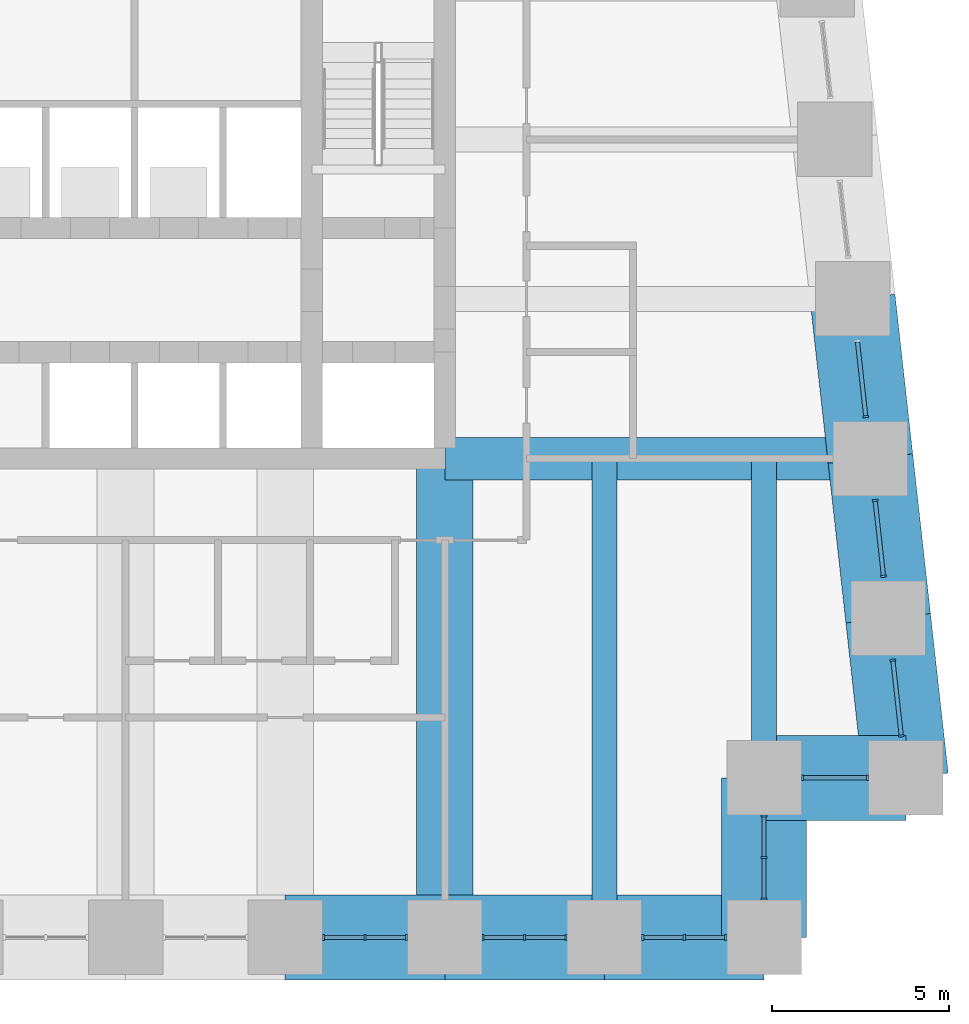
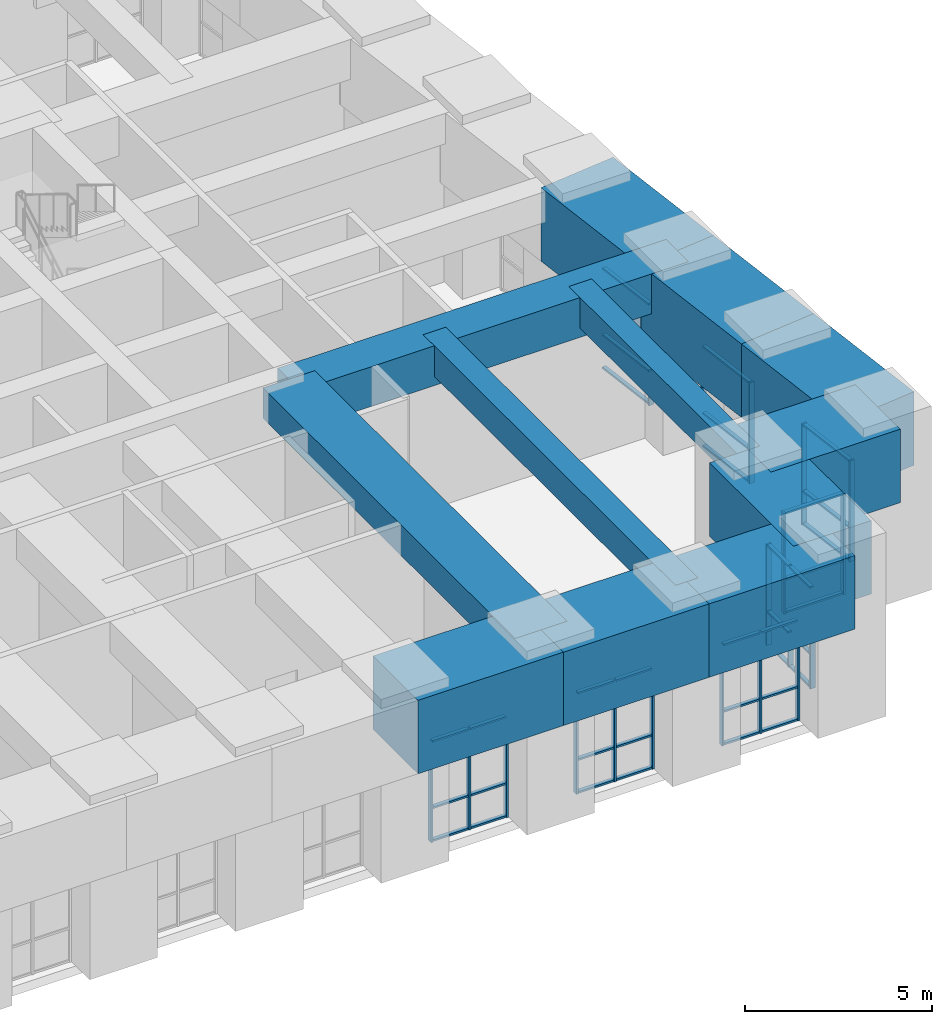
# One storey, part 5 of 17: 55 members, 12 beams, 8 elements without a shape of their own.
"""IFC4 building model written with IfcOpenShell, lengths in metres."""

from ifc_helpers import new_model, si_unit, direction, frame, origin, origin_2d, place, context, subcontext, project, spatial, rectangle, extrude, material, material_profile, profile_set, type_object, element, aggregate, save


model = new_model("IFC4")

# Units and contexts
model_context = context("Model", 3, precision=1e-05, world=origin(), true_north=direction((0.0, 1.0)))
body_context = subcontext(model_context, "Body", "Model", "MODEL_VIEW")
ifc_project = project(units=[si_unit("LENGTHUNIT", "METRE"), si_unit("AREAUNIT", "SQUARE_METRE"), si_unit("VOLUMEUNIT", "CUBIC_METRE"), si_unit("PLANEANGLEUNIT", "RADIAN"), si_unit("MASSUNIT", "GRAM", prefix="KILO")], contexts=[model_context])

# Site, building, storey
site_placement = place(None, origin())
site = spatial("IfcSite", under=ifc_project, at=site_placement, CompositionType="ELEMENT")
building_placement = place(site_placement, origin())
building = spatial("IfcBuilding", under=site, at=building_placement, Name="Kilele Tower Hotel", CompositionType="ELEMENT")
storey_placement = place(building_placement, frame((0.0, 0.0, 145.89990234375)))
storey = spatial("IfcBuildingStorey", under=building, at=storey_placement, Name="L38", CompositionType="ELEMENT", Elevation=145.89990234375)

# Beams
ifc_material_1 = material(Name="Concrete C60/75", Category="concrete")
ifc_material_profile_1 = material_profile(ifc_material_1, rectangle(XDim=1.60009765625, YDim=1.0, at=origin_2d()))
ifc_profile_set_1 = profile_set([ifc_material_profile_1], Name="Concrete C60/75")
beam_type_1 = type_object("IfcBeamType", Name="Beam RC 1600x1000 C60/75", PredefinedType="BEAM", material=ifc_profile_set_1)
beam_1_placement = place(storey_placement, frame((36.0, 0.0, 5.2001953125), z_axis=(0.0, 1.0, 0.0), x_axis=(-1.0, 0.0, 0.0)))
element("IfcBeam", 1, at=beam_1_placement, inside=storey, type_object=beam_type_1, Name="Beam BC1 level L39", PredefinedType="BEAM", context=body_context, shape_type="SweptSolid", body=[
    extrude(rectangle(XDim=1.60009765625, YDim=1.0, at=origin_2d()), origin(), (0.0, 0.0, 1.0), 13.5),
])
ifc_material_2 = material(Name="Concrete C60/75", Category="concrete")
ifc_material_profile_2 = material_profile(ifc_material_2, rectangle(XDim=0.699951171875, YDim=1.0, at=origin_2d()))
ifc_profile_set_2 = profile_set([ifc_material_profile_2], Name="Concrete C60/75")
beam_type_2 = type_object("IfcBeamType", Name="Beam RC 700x1000 C60/75", PredefinedType="BEAM", material=ifc_profile_set_2)
beam_2_placement = place(storey_placement, frame((40.5, 0.0, 5.2001953125), z_axis=(0.0, 1.0, 0.0), x_axis=(-1.0, 0.0, 0.0)))
element("IfcBeam", 2, at=beam_2_placement, inside=storey, type_object=beam_type_2, Name="Beam B4 level L39", PredefinedType="BEAM", context=body_context, shape_type="SweptSolid", body=[
    extrude(rectangle(XDim=0.699951171875, YDim=1.0, at=origin_2d()), origin(), (0.0, 0.0, 1.0), 13.5),
])
ifc_material_3 = material(Name="Concrete C60/75", Category="concrete")
ifc_material_profile_3 = material_profile(ifc_material_3, rectangle(XDim=0.699951171875, YDim=1.0, at=origin_2d()))
ifc_profile_set_3 = profile_set([ifc_material_profile_3], Name="Concrete C60/75")
beam_type_3 = type_object("IfcBeamType", Name="Beam RC 700x1000 C60/75 mid span", PredefinedType="BEAM", material=ifc_profile_set_3)
beam_3_placement = place(storey_placement, frame((45.0, 4.5, 5.2001953125), z_axis=(0.0, 1.0, 0.0), x_axis=(-1.0, 0.0, 0.0)))
element("IfcBeam", 3, at=beam_3_placement, inside=storey, type_object=beam_type_3, Name="Beam B5 level L39", PredefinedType="BEAM", context=body_context, shape_type="SweptSolid", body=[
    extrude(rectangle(XDim=0.699951171875, YDim=1.0, at=origin_2d()), origin(), (0.0, 0.0, 1.0), 9.0),
])
ifc_material_4 = material(Name="Concrete C60/75", Category="concrete")
ifc_material_profile_4 = material_profile(ifc_material_4, rectangle(XDim=1.199951171875, YDim=1.300048828125, at=origin_2d()))
ifc_profile_set_4 = profile_set([ifc_material_profile_4], Name="Concrete C60/75")
beam_type_4 = type_object("IfcBeamType", Name="Girder RC 1200x1300 C60/75", PredefinedType="BEAM", material=ifc_profile_set_4)
beam_4_placement = place(storey_placement, frame((48.0, 13.5, 5.050048828125), z_axis=(-1.0, 0.0, 0.0), x_axis=(0.0, -1.0, 0.0)))
element("IfcBeam", 4, at=beam_4_placement, inside=storey, type_object=beam_type_4, Name="Girder G1 level L39", PredefinedType="BEAM", context=body_context, shape_type="SweptSolid", body=[
    extrude(rectangle(XDim=1.199951171875, YDim=1.300048828125, at=origin_2d()), origin(), (0.0, 0.0, 1.0), 12.0),
])

# Curtain wall, members
ifc_material_5 = material(Name="Aluminium curtain wall, clear double glazing", Category="aluminium")
curtain_wall_type = type_object("IfcCurtainWallType", Name="Sky lobby curtain wall CW-3", PredefinedType="NOTDEFINED", material=ifc_material_5)
curtain_wall_1_placement = place(storey_placement, origin())
curtain_wall_1 = element("IfcCurtainWall", 5, at=curtain_wall_1_placement, inside=storey, type_object=curtain_wall_type, Name="Sky lobby curtain wall CW-3 L38", PredefinedType="NOTDEFINED")
ifc_material_6 = material(Name="Aluminium EN AW-6063 T6", Category="aluminium")
ifc_material_profile_5 = material_profile(ifc_material_6, rectangle(XDim=0.159912109375, YDim=0.06005859375, at=origin_2d()))
ifc_profile_set_5 = profile_set([ifc_material_profile_5], Name="Aluminium EN AW-6063 T6")
member_type_1 = type_object("IfcMemberType", Name="Mullion 60x160 CW-3", PredefinedType="MULLION", material=ifc_profile_set_5)
member_1_placement = place(storey_placement, frame((32.580078125, 0.0, 0.0), z_axis=(0.0, 0.0, 1.0), x_axis=(0.0, 1.0, 0.0)))
member_1 = element("IfcMember", 6, at=member_1_placement, type_object=member_type_1, Name="CW-3 mullion 1", PredefinedType="MULLION", context=body_context, shape_type="SweptSolid", body=[
    extrude(rectangle(XDim=0.159912109375, YDim=0.06005859375, at=origin_2d()), origin(), (0.0, 0.0, 1.0), 3.300048828125),
])
member_2_placement = place(storey_placement, frame((33.75, 0.0, 0.0), z_axis=(0.0, 0.0, 1.0), x_axis=(0.0, 1.0, 0.0)))
member_2 = element("IfcMember", 7, at=member_2_placement, type_object=member_type_1, Name="CW-3 mullion 2", PredefinedType="MULLION", context=body_context, shape_type="SweptSolid", body=[
    extrude(rectangle(XDim=0.159912109375, YDim=0.06005859375, at=origin_2d()), origin(), (0.0, 0.0, 1.0), 3.300048828125),
])
member_3_placement = place(storey_placement, frame((34.919921875, 0.0, 0.0), z_axis=(0.0, 0.0, 1.0), x_axis=(0.0, 1.0, 0.0)))
member_3 = element("IfcMember", 8, at=member_3_placement, type_object=member_type_1, Name="CW-3 mullion 3", PredefinedType="MULLION", context=body_context, shape_type="SweptSolid", body=[
    extrude(rectangle(XDim=0.159912109375, YDim=0.06005859375, at=origin_2d()), origin(), (0.0, 0.0, 1.0), 3.300048828125),
])

curtain_wall_2_placement = place(storey_placement, origin())
curtain_wall_2 = element("IfcCurtainWall", 9, at=curtain_wall_2_placement, inside=storey, type_object=curtain_wall_type, Name="Sky lobby curtain wall CW-3 L38", PredefinedType="NOTDEFINED")
member_4_placement = place(storey_placement, frame((37.080078125, 0.0, 0.0), z_axis=(0.0, 0.0, 1.0), x_axis=(0.0, 1.0, 0.0)))
member_4 = element("IfcMember", 10, at=member_4_placement, type_object=member_type_1, Name="CW-3 mullion 1", PredefinedType="MULLION", context=body_context, shape_type="SweptSolid", body=[
    extrude(rectangle(XDim=0.159912109375, YDim=0.06005859375, at=origin_2d()), origin(), (0.0, 0.0, 1.0), 3.300048828125),
])
member_5_placement = place(storey_placement, frame((38.25, 0.0, 0.0), z_axis=(0.0, 0.0, 1.0), x_axis=(0.0, 1.0, 0.0)))
member_5 = element("IfcMember", 11, at=member_5_placement, type_object=member_type_1, Name="CW-3 mullion 2", PredefinedType="MULLION", context=body_context, shape_type="SweptSolid", body=[
    extrude(rectangle(XDim=0.159912109375, YDim=0.06005859375, at=origin_2d()), origin(), (0.0, 0.0, 1.0), 3.300048828125),
])
member_6_placement = place(storey_placement, frame((39.419921875, 0.0, 0.0), z_axis=(0.0, 0.0, 1.0), x_axis=(0.0, 1.0, 0.0)))
member_6 = element("IfcMember", 12, at=member_6_placement, type_object=member_type_1, Name="CW-3 mullion 3", PredefinedType="MULLION", context=body_context, shape_type="SweptSolid", body=[
    extrude(rectangle(XDim=0.159912109375, YDim=0.06005859375, at=origin_2d()), origin(), (0.0, 0.0, 1.0), 3.300048828125),
])

curtain_wall_3_placement = place(storey_placement, origin())
curtain_wall_3 = element("IfcCurtainWall", 13, at=curtain_wall_3_placement, inside=storey, type_object=curtain_wall_type, Name="Sky lobby curtain wall CW-3 L38", PredefinedType="NOTDEFINED")
member_7_placement = place(storey_placement, frame((41.580078125, 0.0, 0.0), z_axis=(0.0, 0.0, 1.0), x_axis=(0.0, 1.0, 0.0)))
member_7 = element("IfcMember", 14, at=member_7_placement, type_object=member_type_1, Name="CW-3 mullion 1", PredefinedType="MULLION", context=body_context, shape_type="SweptSolid", body=[
    extrude(rectangle(XDim=0.159912109375, YDim=0.06005859375, at=origin_2d()), origin(), (0.0, 0.0, 1.0), 3.300048828125),
])
member_8_placement = place(storey_placement, frame((42.75, 0.0, 0.0), z_axis=(0.0, 0.0, 1.0), x_axis=(0.0, 1.0, 0.0)))
member_8 = element("IfcMember", 15, at=member_8_placement, type_object=member_type_1, Name="CW-3 mullion 2", PredefinedType="MULLION", context=body_context, shape_type="SweptSolid", body=[
    extrude(rectangle(XDim=0.159912109375, YDim=0.06005859375, at=origin_2d()), origin(), (0.0, 0.0, 1.0), 3.300048828125),
])
member_9_placement = place(storey_placement, frame((43.919921875, 0.0, 0.0), z_axis=(0.0, 0.0, 1.0), x_axis=(0.0, 1.0, 0.0)))
member_9 = element("IfcMember", 16, at=member_9_placement, type_object=member_type_1, Name="CW-3 mullion 3", PredefinedType="MULLION", context=body_context, shape_type="SweptSolid", body=[
    extrude(rectangle(XDim=0.159912109375, YDim=0.06005859375, at=origin_2d()), origin(), (0.0, 0.0, 1.0), 3.300048828125),
])

curtain_wall_4_placement = place(storey_placement, origin())
curtain_wall_4 = element("IfcCurtainWall", 17, at=curtain_wall_4_placement, inside=storey, type_object=curtain_wall_type, Name="Sky lobby curtain wall CW-3 L38", PredefinedType="NOTDEFINED")
member_10_placement = place(storey_placement, frame((45.0, 1.080078125, 0.0), z_axis=(0.0, 0.0, 1.0), x_axis=(-1.0, 0.0, 0.0)))
member_10 = element("IfcMember", 18, at=member_10_placement, type_object=member_type_1, Name="CW-3 mullion 1", PredefinedType="MULLION", context=body_context, shape_type="SweptSolid", body=[
    extrude(rectangle(XDim=0.159912109375, YDim=0.06005859375, at=origin_2d()), origin(), (0.0, 0.0, 1.0), 3.300048828125),
])
member_11_placement = place(storey_placement, frame((45.0, 2.25, 0.0), z_axis=(0.0, 0.0, 1.0), x_axis=(-1.0, 0.0, 0.0)))
member_11 = element("IfcMember", 19, at=member_11_placement, type_object=member_type_1, Name="CW-3 mullion 2", PredefinedType="MULLION", context=body_context, shape_type="SweptSolid", body=[
    extrude(rectangle(XDim=0.159912109375, YDim=0.06005859375, at=origin_2d()), origin(), (0.0, 0.0, 1.0), 3.300048828125),
])
member_12_placement = place(storey_placement, frame((45.0, 3.419921875, 0.0), z_axis=(0.0, 0.0, 1.0), x_axis=(-1.0, 0.0, 0.0)))
member_12 = element("IfcMember", 20, at=member_12_placement, type_object=member_type_1, Name="CW-3 mullion 3", PredefinedType="MULLION", context=body_context, shape_type="SweptSolid", body=[
    extrude(rectangle(XDim=0.159912109375, YDim=0.06005859375, at=origin_2d()), origin(), (0.0, 0.0, 1.0), 3.300048828125),
])

curtain_wall_5_placement = place(storey_placement, origin())
curtain_wall_5 = element("IfcCurtainWall", 21, at=curtain_wall_5_placement, inside=storey, type_object=curtain_wall_type, Name="Sky lobby curtain wall CW-3 L38", PredefinedType="NOTDEFINED")
member_13_placement = place(storey_placement, frame((46.080078125, 4.5, 0.0), z_axis=(0.0, 0.0, 1.0), x_axis=(0.0, 1.0, 0.0)))
member_13 = element("IfcMember", 22, at=member_13_placement, type_object=member_type_1, Name="CW-3 mullion 1", PredefinedType="MULLION", context=body_context, shape_type="SweptSolid", body=[
    extrude(rectangle(XDim=0.159912109375, YDim=0.06005859375, at=origin_2d()), origin(), (0.0, 0.0, 1.0), 3.300048828125),
])
member_14_placement = place(storey_placement, frame((47.919921875, 4.5, 0.0), z_axis=(0.0, 0.0, 1.0), x_axis=(0.0, 1.0, 0.0)))
member_14 = element("IfcMember", 23, at=member_14_placement, type_object=member_type_1, Name="CW-3 mullion 2", PredefinedType="MULLION", context=body_context, shape_type="SweptSolid", body=[
    extrude(rectangle(XDim=0.159912109375, YDim=0.06005859375, at=origin_2d()), origin(), (0.0, 0.0, 1.0), 3.300048828125),
])

curtain_wall_6_placement = place(storey_placement, origin())
curtain_wall_6 = element("IfcCurtainWall", 24, at=curtain_wall_6_placement, inside=storey, type_object=curtain_wall_type, Name="Sky lobby curtain wall CW-3 L38", PredefinedType="NOTDEFINED")
member_15_placement = place(storey_placement, frame((48.86865234375, 5.682373046875, 0.0), z_axis=(0.0, 0.0, 1.0), x_axis=(-0.993883734629, -0.110431526475, 0.0)))
member_15 = element("IfcMember", 25, at=member_15_placement, type_object=member_type_1, Name="CW-3 mullion 1", PredefinedType="MULLION", context=body_context, shape_type="SweptSolid", body=[
    extrude(rectangle(XDim=0.159912109375, YDim=0.06005859375, at=origin_2d()), origin(), (0.0, 0.0, 1.0), 3.300048828125),
])
member_16_placement = place(storey_placement, frame((48.63134765625, 7.817626953125, 0.0), z_axis=(0.0, 0.0, 1.0), x_axis=(-0.993883734629, -0.110431526475, 0.0)))
member_16 = element("IfcMember", 26, at=member_16_placement, type_object=member_type_1, Name="CW-3 mullion 2", PredefinedType="MULLION", context=body_context, shape_type="SweptSolid", body=[
    extrude(rectangle(XDim=0.159912109375, YDim=0.06005859375, at=origin_2d()), origin(), (0.0, 0.0, 1.0), 3.300048828125),
])

curtain_wall_7_placement = place(storey_placement, origin())
curtain_wall_7 = element("IfcCurtainWall", 27, at=curtain_wall_7_placement, inside=storey, type_object=curtain_wall_type, Name="Sky lobby curtain wall CW-3 L38", PredefinedType="NOTDEFINED")
member_17_placement = place(storey_placement, frame((48.36865234375, 10.182373046875, 0.0), z_axis=(0.0, 0.0, 1.0), x_axis=(-0.993883734629, -0.110431526475, 0.0)))
member_17 = element("IfcMember", 28, at=member_17_placement, type_object=member_type_1, Name="CW-3 mullion 1", PredefinedType="MULLION", context=body_context, shape_type="SweptSolid", body=[
    extrude(rectangle(XDim=0.159912109375, YDim=0.06005859375, at=origin_2d()), origin(), (0.0, 0.0, 1.0), 3.300048828125),
])
member_18_placement = place(storey_placement, frame((48.13134765625, 12.317626953125, 0.0), z_axis=(0.0, 0.0, 1.0), x_axis=(-0.993883734629, -0.110431526475, 0.0)))
member_18 = element("IfcMember", 29, at=member_18_placement, type_object=member_type_1, Name="CW-3 mullion 2", PredefinedType="MULLION", context=body_context, shape_type="SweptSolid", body=[
    extrude(rectangle(XDim=0.159912109375, YDim=0.06005859375, at=origin_2d()), origin(), (0.0, 0.0, 1.0), 3.300048828125),
])

# Curtain wall, member
curtain_wall_8_placement = place(storey_placement, origin())
curtain_wall_8 = element("IfcCurtainWall", 30, at=curtain_wall_8_placement, inside=storey, type_object=curtain_wall_type, Name="Sky lobby curtain wall CW-3 L38", PredefinedType="NOTDEFINED")
member_19_placement = place(storey_placement, frame((47.86865234375, 14.682373046875, 0.0), z_axis=(0.0, 0.0, 1.0), x_axis=(-0.993883734629, -0.110431526475, 0.0)))
member_19 = element("IfcMember", 31, at=member_19_placement, type_object=member_type_1, Name="CW-3 mullion 1", PredefinedType="MULLION", context=body_context, shape_type="SweptSolid", body=[
    extrude(rectangle(XDim=0.159912109375, YDim=0.06005859375, at=origin_2d()), origin(), (0.0, 0.0, 1.0), 3.300048828125),
])

# Beams
ifc_material_7 = material(Name="Concrete C60/75", Category="concrete")
ifc_material_profile_6 = material_profile(ifc_material_7, rectangle(XDim=2.39990234375, YDim=2.39990234375, at=origin_2d()))
ifc_profile_set_6 = profile_set([ifc_material_profile_6], Name="Concrete C60/75")
beam_type_5 = type_object("IfcBeamType", Name="Spandrel RC 2400x2400 C60/75", PredefinedType="SPANDREL", material=ifc_profile_set_6)
for number, where, z_axis, x_axis, name in (
    (32, (31.5, 0.0, 4.5), (1.0, 0.0, 0.0), (0.0, 1.0, 0.0), "Spandrel SP15 level L39"),
    (33, (36.0, 0.0, 4.5), (1.0, 0.0, 0.0), (0.0, 1.0, 0.0), "Spandrel SP15 level L39"),
    (34, (40.5, 0.0, 4.5), (1.0, 0.0, 0.0), (0.0, 1.0, 0.0), "Spandrel SP15 level L39"),
    (35, (45.0, 0.0, 4.5), (0.0, 1.0, 0.0), (-1.0, 0.0, 0.0), "Spandrel SP15 level L39"),
):
    element("IfcBeam", number, at=place(storey_placement, frame(where, z_axis=z_axis, x_axis=x_axis)), inside=storey, type_object=beam_type_5, Name=name, PredefinedType="SPANDREL", context=body_context, shape_type="SweptSolid", body=[
        extrude(rectangle(XDim=2.39990234375, YDim=2.39990234375, at=origin_2d()), origin(), (0.0, 0.0, 1.0), 4.5),
    ])
beam_5_placement = place(storey_placement, frame((45.0, 4.5, 4.5), z_axis=(1.0, 0.0, 0.0), x_axis=(0.0, 1.0, 0.0)))
element("IfcBeam", 36, at=beam_5_placement, inside=storey, type_object=beam_type_5, Name="Spandrel SP15 level L39", PredefinedType="SPANDREL", context=body_context, shape_type="SweptSolid", body=[
    extrude(rectangle(XDim=2.39990234375, YDim=2.39990234375, at=origin_2d()), origin(), (0.0, 0.0, 1.0), 4.0),
])
for number, where, z_axis, x_axis, name in (
    (37, (49.0, 4.5, 4.5), (-0.110431526075, 0.993883734674, 0.0), (-0.993883734674, -0.110431526075, 0.0), "Spandrel SP15 level L39"),
    (38, (48.5, 9.0, 4.5), (-0.110431526075, 0.993883734674, 0.0), (-0.993883734674, -0.110431526075, 0.0), "Spandrel SP15 level L39"),
    (39, (48.0, 13.5, 4.5), (-0.110431526075, 0.993883734674, 0.0), (-0.993883734674, -0.110431526075, 0.0), "Spandrel SP15 level L39"),
):
    element("IfcBeam", number, at=place(storey_placement, frame(where, z_axis=z_axis, x_axis=x_axis)), inside=storey, type_object=beam_type_5, Name=name, PredefinedType="SPANDREL", context=body_context, shape_type="SweptSolid", body=[
        extrude(rectangle(XDim=2.39990234375, YDim=2.39990234375, at=origin_2d()), origin(), (0.0, 0.0, 1.0), 4.527587890625),
    ])

# Member
ifc_material_8 = material(Name="Aluminium EN AW-6063 T6", Category="aluminium")
ifc_material_profile_7 = material_profile(ifc_material_8, rectangle(XDim=0.1201171875, YDim=0.06005859375, at=origin_2d()))
ifc_profile_set_7 = profile_set([ifc_material_profile_7], Name="Aluminium EN AW-6063 T6")
member_type_2 = type_object("IfcMemberType", Name="Transom 60x120 CW-3", PredefinedType="USERDEFINED", material=ifc_profile_set_7)
member_20_placement = place(storey_placement, frame((32.610107421875, 0.0, 0.030029296875), z_axis=(1.0, 0.0, 0.0), x_axis=(0.0, 1.0, 0.0)))
member_20 = element("IfcMember", 40, at=member_20_placement, type_object=member_type_2, Name="CW-3 transom 1.1", ObjectType="TRANSOM", PredefinedType="USERDEFINED", context=body_context, shape_type="SweptSolid", body=[
    extrude(rectangle(XDim=0.1201171875, YDim=0.06005859375, at=origin_2d()), origin(), (0.0, 0.0, 1.0), 1.10986328125),
])

member_21_placement = place(storey_placement, frame((32.610107421875, 0.0, 1.10009765625), z_axis=(1.0, 0.0, 0.0), x_axis=(0.0, 1.0, 0.0)))
member_21 = element("IfcMember", 41, at=member_21_placement, type_object=member_type_2, Name="CW-3 transom 1.2", ObjectType="TRANSOM", PredefinedType="USERDEFINED", context=body_context, shape_type="SweptSolid", body=[
    extrude(rectangle(XDim=0.1201171875, YDim=0.06005859375, at=origin_2d()), origin(), (0.0, 0.0, 1.0), 1.10986328125),
])

member_22_placement = place(storey_placement, frame((32.610107421875, 0.0, 3.27001953125), z_axis=(1.0, 0.0, 0.0), x_axis=(0.0, 1.0, 0.0)))
member_22 = element("IfcMember", 42, at=member_22_placement, type_object=member_type_2, Name="CW-3 transom 1.3", ObjectType="TRANSOM", PredefinedType="USERDEFINED", context=body_context, shape_type="SweptSolid", body=[
    extrude(rectangle(XDim=0.1201171875, YDim=0.06005859375, at=origin_2d()), origin(), (0.0, 0.0, 1.0), 1.10986328125),
])

member_23_placement = place(storey_placement, frame((33.780029296875, 0.0, 0.030029296875), z_axis=(1.0, 0.0, 0.0), x_axis=(0.0, 1.0, 0.0)))
member_23 = element("IfcMember", 43, at=member_23_placement, type_object=member_type_2, Name="CW-3 transom 2.1", ObjectType="TRANSOM", PredefinedType="USERDEFINED", context=body_context, shape_type="SweptSolid", body=[
    extrude(rectangle(XDim=0.1201171875, YDim=0.06005859375, at=origin_2d()), origin(), (0.0, 0.0, 1.0), 1.10986328125),
])

member_24_placement = place(storey_placement, frame((33.780029296875, 0.0, 1.10009765625), z_axis=(1.0, 0.0, 0.0), x_axis=(0.0, 1.0, 0.0)))
member_24 = element("IfcMember", 44, at=member_24_placement, type_object=member_type_2, Name="CW-3 transom 2.2", ObjectType="TRANSOM", PredefinedType="USERDEFINED", context=body_context, shape_type="SweptSolid", body=[
    extrude(rectangle(XDim=0.1201171875, YDim=0.06005859375, at=origin_2d()), origin(), (0.0, 0.0, 1.0), 1.10986328125),
])

member_25_placement = place(storey_placement, frame((33.780029296875, 0.0, 3.27001953125), z_axis=(1.0, 0.0, 0.0), x_axis=(0.0, 1.0, 0.0)))
member_25 = element("IfcMember", 45, at=member_25_placement, type_object=member_type_2, Name="CW-3 transom 2.3", ObjectType="TRANSOM", PredefinedType="USERDEFINED", context=body_context, shape_type="SweptSolid", body=[
    extrude(rectangle(XDim=0.1201171875, YDim=0.06005859375, at=origin_2d()), origin(), (0.0, 0.0, 1.0), 1.10986328125),
])

aggregate(curtain_wall_1, [member_1, member_2, member_3, member_20, member_21, member_22, member_23, member_24, member_25])

member_26_placement = place(storey_placement, frame((37.110107421875, 0.0, 0.030029296875), z_axis=(1.0, 0.0, 0.0), x_axis=(0.0, 1.0, 0.0)))
member_26 = element("IfcMember", 46, at=member_26_placement, type_object=member_type_2, Name="CW-3 transom 1.1", ObjectType="TRANSOM", PredefinedType="USERDEFINED", context=body_context, shape_type="SweptSolid", body=[
    extrude(rectangle(XDim=0.1201171875, YDim=0.06005859375, at=origin_2d()), origin(), (0.0, 0.0, 1.0), 1.10986328125),
])

member_27_placement = place(storey_placement, frame((37.110107421875, 0.0, 1.10009765625), z_axis=(1.0, 0.0, 0.0), x_axis=(0.0, 1.0, 0.0)))
member_27 = element("IfcMember", 47, at=member_27_placement, type_object=member_type_2, Name="CW-3 transom 1.2", ObjectType="TRANSOM", PredefinedType="USERDEFINED", context=body_context, shape_type="SweptSolid", body=[
    extrude(rectangle(XDim=0.1201171875, YDim=0.06005859375, at=origin_2d()), origin(), (0.0, 0.0, 1.0), 1.10986328125),
])

member_28_placement = place(storey_placement, frame((37.110107421875, 0.0, 3.27001953125), z_axis=(1.0, 0.0, 0.0), x_axis=(0.0, 1.0, 0.0)))
member_28 = element("IfcMember", 48, at=member_28_placement, type_object=member_type_2, Name="CW-3 transom 1.3", ObjectType="TRANSOM", PredefinedType="USERDEFINED", context=body_context, shape_type="SweptSolid", body=[
    extrude(rectangle(XDim=0.1201171875, YDim=0.06005859375, at=origin_2d()), origin(), (0.0, 0.0, 1.0), 1.10986328125),
])

member_29_placement = place(storey_placement, frame((38.280029296875, 0.0, 0.030029296875), z_axis=(1.0, 0.0, 0.0), x_axis=(0.0, 1.0, 0.0)))
member_29 = element("IfcMember", 49, at=member_29_placement, type_object=member_type_2, Name="CW-3 transom 2.1", ObjectType="TRANSOM", PredefinedType="USERDEFINED", context=body_context, shape_type="SweptSolid", body=[
    extrude(rectangle(XDim=0.1201171875, YDim=0.06005859375, at=origin_2d()), origin(), (0.0, 0.0, 1.0), 1.10986328125),
])

member_30_placement = place(storey_placement, frame((38.280029296875, 0.0, 1.10009765625), z_axis=(1.0, 0.0, 0.0), x_axis=(0.0, 1.0, 0.0)))
member_30 = element("IfcMember", 50, at=member_30_placement, type_object=member_type_2, Name="CW-3 transom 2.2", ObjectType="TRANSOM", PredefinedType="USERDEFINED", context=body_context, shape_type="SweptSolid", body=[
    extrude(rectangle(XDim=0.1201171875, YDim=0.06005859375, at=origin_2d()), origin(), (0.0, 0.0, 1.0), 1.10986328125),
])

member_31_placement = place(storey_placement, frame((38.280029296875, 0.0, 3.27001953125), z_axis=(1.0, 0.0, 0.0), x_axis=(0.0, 1.0, 0.0)))
member_31 = element("IfcMember", 51, at=member_31_placement, type_object=member_type_2, Name="CW-3 transom 2.3", ObjectType="TRANSOM", PredefinedType="USERDEFINED", context=body_context, shape_type="SweptSolid", body=[
    extrude(rectangle(XDim=0.1201171875, YDim=0.06005859375, at=origin_2d()), origin(), (0.0, 0.0, 1.0), 1.10986328125),
])

aggregate(curtain_wall_2, [member_4, member_5, member_6, member_26, member_27, member_28, member_29, member_30, member_31])

member_32_placement = place(storey_placement, frame((41.610107421875, 0.0, 0.030029296875), z_axis=(1.0, 0.0, 0.0), x_axis=(0.0, 1.0, 0.0)))
member_32 = element("IfcMember", 52, at=member_32_placement, type_object=member_type_2, Name="CW-3 transom 1.1", ObjectType="TRANSOM", PredefinedType="USERDEFINED", context=body_context, shape_type="SweptSolid", body=[
    extrude(rectangle(XDim=0.1201171875, YDim=0.06005859375, at=origin_2d()), origin(), (0.0, 0.0, 1.0), 1.10986328125),
])

member_33_placement = place(storey_placement, frame((41.610107421875, 0.0, 1.10009765625), z_axis=(1.0, 0.0, 0.0), x_axis=(0.0, 1.0, 0.0)))
member_33 = element("IfcMember", 53, at=member_33_placement, type_object=member_type_2, Name="CW-3 transom 1.2", ObjectType="TRANSOM", PredefinedType="USERDEFINED", context=body_context, shape_type="SweptSolid", body=[
    extrude(rectangle(XDim=0.1201171875, YDim=0.06005859375, at=origin_2d()), origin(), (0.0, 0.0, 1.0), 1.10986328125),
])

member_34_placement = place(storey_placement, frame((41.610107421875, 0.0, 3.27001953125), z_axis=(1.0, 0.0, 0.0), x_axis=(0.0, 1.0, 0.0)))
member_34 = element("IfcMember", 54, at=member_34_placement, type_object=member_type_2, Name="CW-3 transom 1.3", ObjectType="TRANSOM", PredefinedType="USERDEFINED", context=body_context, shape_type="SweptSolid", body=[
    extrude(rectangle(XDim=0.1201171875, YDim=0.06005859375, at=origin_2d()), origin(), (0.0, 0.0, 1.0), 1.10986328125),
])

member_35_placement = place(storey_placement, frame((42.780029296875, 0.0, 0.030029296875), z_axis=(1.0, 0.0, 0.0), x_axis=(0.0, 1.0, 0.0)))
member_35 = element("IfcMember", 55, at=member_35_placement, type_object=member_type_2, Name="CW-3 transom 2.1", ObjectType="TRANSOM", PredefinedType="USERDEFINED", context=body_context, shape_type="SweptSolid", body=[
    extrude(rectangle(XDim=0.1201171875, YDim=0.06005859375, at=origin_2d()), origin(), (0.0, 0.0, 1.0), 1.10986328125),
])

member_36_placement = place(storey_placement, frame((42.780029296875, 0.0, 1.10009765625), z_axis=(1.0, 0.0, 0.0), x_axis=(0.0, 1.0, 0.0)))
member_36 = element("IfcMember", 56, at=member_36_placement, type_object=member_type_2, Name="CW-3 transom 2.2", ObjectType="TRANSOM", PredefinedType="USERDEFINED", context=body_context, shape_type="SweptSolid", body=[
    extrude(rectangle(XDim=0.1201171875, YDim=0.06005859375, at=origin_2d()), origin(), (0.0, 0.0, 1.0), 1.10986328125),
])

member_37_placement = place(storey_placement, frame((42.780029296875, 0.0, 3.27001953125), z_axis=(1.0, 0.0, 0.0), x_axis=(0.0, 1.0, 0.0)))
member_37 = element("IfcMember", 57, at=member_37_placement, type_object=member_type_2, Name="CW-3 transom 2.3", ObjectType="TRANSOM", PredefinedType="USERDEFINED", context=body_context, shape_type="SweptSolid", body=[
    extrude(rectangle(XDim=0.1201171875, YDim=0.06005859375, at=origin_2d()), origin(), (0.0, 0.0, 1.0), 1.10986328125),
])

aggregate(curtain_wall_3, [member_7, member_8, member_9, member_32, member_33, member_34, member_35, member_36, member_37])

member_38_placement = place(storey_placement, frame((45.0, 1.110107421875, 0.030029296875), z_axis=(0.0, 1.0, 0.0), x_axis=(-1.0, 0.0, 0.0)))
member_38 = element("IfcMember", 58, at=member_38_placement, type_object=member_type_2, Name="CW-3 transom 1.1", ObjectType="TRANSOM", PredefinedType="USERDEFINED", context=body_context, shape_type="SweptSolid", body=[
    extrude(rectangle(XDim=0.1201171875, YDim=0.06005859375, at=origin_2d()), origin(), (0.0, 0.0, 1.0), 1.10986328125),
])

member_39_placement = place(storey_placement, frame((45.0, 1.110107421875, 1.10009765625), z_axis=(0.0, 1.0, 0.0), x_axis=(-1.0, 0.0, 0.0)))
member_39 = element("IfcMember", 59, at=member_39_placement, type_object=member_type_2, Name="CW-3 transom 1.2", ObjectType="TRANSOM", PredefinedType="USERDEFINED", context=body_context, shape_type="SweptSolid", body=[
    extrude(rectangle(XDim=0.1201171875, YDim=0.06005859375, at=origin_2d()), origin(), (0.0, 0.0, 1.0), 1.10986328125),
])

member_40_placement = place(storey_placement, frame((45.0, 1.110107421875, 3.27001953125), z_axis=(0.0, 1.0, 0.0), x_axis=(-1.0, 0.0, 0.0)))
member_40 = element("IfcMember", 60, at=member_40_placement, type_object=member_type_2, Name="CW-3 transom 1.3", ObjectType="TRANSOM", PredefinedType="USERDEFINED", context=body_context, shape_type="SweptSolid", body=[
    extrude(rectangle(XDim=0.1201171875, YDim=0.06005859375, at=origin_2d()), origin(), (0.0, 0.0, 1.0), 1.10986328125),
])

member_41_placement = place(storey_placement, frame((45.0, 2.280029296875, 0.030029296875), z_axis=(0.0, 1.0, 0.0), x_axis=(-1.0, 0.0, 0.0)))
member_41 = element("IfcMember", 61, at=member_41_placement, type_object=member_type_2, Name="CW-3 transom 2.1", ObjectType="TRANSOM", PredefinedType="USERDEFINED", context=body_context, shape_type="SweptSolid", body=[
    extrude(rectangle(XDim=0.1201171875, YDim=0.06005859375, at=origin_2d()), origin(), (0.0, 0.0, 1.0), 1.10986328125),
])

member_42_placement = place(storey_placement, frame((45.0, 2.280029296875, 1.10009765625), z_axis=(0.0, 1.0, 0.0), x_axis=(-1.0, 0.0, 0.0)))
member_42 = element("IfcMember", 62, at=member_42_placement, type_object=member_type_2, Name="CW-3 transom 2.2", ObjectType="TRANSOM", PredefinedType="USERDEFINED", context=body_context, shape_type="SweptSolid", body=[
    extrude(rectangle(XDim=0.1201171875, YDim=0.06005859375, at=origin_2d()), origin(), (0.0, 0.0, 1.0), 1.10986328125),
])

member_43_placement = place(storey_placement, frame((45.0, 2.280029296875, 3.27001953125), z_axis=(0.0, 1.0, 0.0), x_axis=(-1.0, 0.0, 0.0)))
member_43 = element("IfcMember", 63, at=member_43_placement, type_object=member_type_2, Name="CW-3 transom 2.3", ObjectType="TRANSOM", PredefinedType="USERDEFINED", context=body_context, shape_type="SweptSolid", body=[
    extrude(rectangle(XDim=0.1201171875, YDim=0.06005859375, at=origin_2d()), origin(), (0.0, 0.0, 1.0), 1.10986328125),
])

aggregate(curtain_wall_4, [member_10, member_11, member_12, member_38, member_39, member_40, member_41, member_42, member_43])

member_44_placement = place(storey_placement, frame((46.110107421875, 4.5, 0.030029296875), z_axis=(1.0, 0.0, 0.0), x_axis=(0.0, 1.0, 0.0)))
member_44 = element("IfcMember", 64, at=member_44_placement, type_object=member_type_2, Name="CW-3 transom 1.1", ObjectType="TRANSOM", PredefinedType="USERDEFINED", context=body_context, shape_type="SweptSolid", body=[
    extrude(rectangle(XDim=0.1201171875, YDim=0.06005859375, at=origin_2d()), origin(), (0.0, 0.0, 1.0), 1.77978515625),
])

member_45_placement = place(storey_placement, frame((46.110107421875, 4.5, 1.10009765625), z_axis=(1.0, 0.0, 0.0), x_axis=(0.0, 1.0, 0.0)))
member_45 = element("IfcMember", 65, at=member_45_placement, type_object=member_type_2, Name="CW-3 transom 1.2", ObjectType="TRANSOM", PredefinedType="USERDEFINED", context=body_context, shape_type="SweptSolid", body=[
    extrude(rectangle(XDim=0.1201171875, YDim=0.06005859375, at=origin_2d()), origin(), (0.0, 0.0, 1.0), 1.77978515625),
])

member_46_placement = place(storey_placement, frame((46.110107421875, 4.5, 3.27001953125), z_axis=(1.0, 0.0, 0.0), x_axis=(0.0, 1.0, 0.0)))
member_46 = element("IfcMember", 66, at=member_46_placement, type_object=member_type_2, Name="CW-3 transom 1.3", ObjectType="TRANSOM", PredefinedType="USERDEFINED", context=body_context, shape_type="SweptSolid", body=[
    extrude(rectangle(XDim=0.1201171875, YDim=0.06005859375, at=origin_2d()), origin(), (0.0, 0.0, 1.0), 1.77978515625),
])

aggregate(curtain_wall_5, [member_13, member_14, member_44, member_45, member_46])

member_47_placement = place(storey_placement, frame((48.865234375, 5.712158203125, 0.030029296875), z_axis=(-0.110354542159, 0.993892285424, 0.0), x_axis=(-0.993892285424, -0.110354542159, 0.0)))
member_47 = element("IfcMember", 67, at=member_47_placement, type_object=member_type_2, Name="CW-3 transom 1.1", ObjectType="TRANSOM", PredefinedType="USERDEFINED", context=body_context, shape_type="SweptSolid", body=[
    extrude(rectangle(XDim=0.1201171875, YDim=0.06005859375, at=origin_2d()), origin(), (0.0, 0.0, 1.0), 2.08837890625),
])

member_48_placement = place(storey_placement, frame((48.865234375, 5.712158203125, 1.10009765625), z_axis=(-0.110354542159, 0.993892285424, 0.0), x_axis=(-0.993892285424, -0.110354542159, 0.0)))
member_48 = element("IfcMember", 68, at=member_48_placement, type_object=member_type_2, Name="CW-3 transom 1.2", ObjectType="TRANSOM", PredefinedType="USERDEFINED", context=body_context, shape_type="SweptSolid", body=[
    extrude(rectangle(XDim=0.1201171875, YDim=0.06005859375, at=origin_2d()), origin(), (0.0, 0.0, 1.0), 2.08837890625),
])

member_49_placement = place(storey_placement, frame((48.865234375, 5.712158203125, 3.27001953125), z_axis=(-0.110354542159, 0.993892285424, 0.0), x_axis=(-0.993892285424, -0.110354542159, 0.0)))
member_49 = element("IfcMember", 69, at=member_49_placement, type_object=member_type_2, Name="CW-3 transom 1.3", ObjectType="TRANSOM", PredefinedType="USERDEFINED", context=body_context, shape_type="SweptSolid", body=[
    extrude(rectangle(XDim=0.1201171875, YDim=0.06005859375, at=origin_2d()), origin(), (0.0, 0.0, 1.0), 2.08837890625),
])

aggregate(curtain_wall_6, [member_15, member_16, member_47, member_48, member_49])

member_50_placement = place(storey_placement, frame((48.365234375, 10.212158203125, 0.030029296875), z_axis=(-0.110354542159, 0.993892285424, 0.0), x_axis=(-0.993892285424, -0.110354542159, 0.0)))
member_50 = element("IfcMember", 70, at=member_50_placement, type_object=member_type_2, Name="CW-3 transom 1.1", ObjectType="TRANSOM", PredefinedType="USERDEFINED", context=body_context, shape_type="SweptSolid", body=[
    extrude(rectangle(XDim=0.1201171875, YDim=0.06005859375, at=origin_2d()), origin(), (0.0, 0.0, 1.0), 2.08837890625),
])

member_51_placement = place(storey_placement, frame((48.365234375, 10.212158203125, 1.10009765625), z_axis=(-0.110354542159, 0.993892285424, 0.0), x_axis=(-0.993892285424, -0.110354542159, 0.0)))
member_51 = element("IfcMember", 71, at=member_51_placement, type_object=member_type_2, Name="CW-3 transom 1.2", ObjectType="TRANSOM", PredefinedType="USERDEFINED", context=body_context, shape_type="SweptSolid", body=[
    extrude(rectangle(XDim=0.1201171875, YDim=0.06005859375, at=origin_2d()), origin(), (0.0, 0.0, 1.0), 2.08837890625),
])

member_52_placement = place(storey_placement, frame((48.365234375, 10.212158203125, 3.27001953125), z_axis=(-0.110354542159, 0.993892285424, 0.0), x_axis=(-0.993892285424, -0.110354542159, 0.0)))
member_52 = element("IfcMember", 72, at=member_52_placement, type_object=member_type_2, Name="CW-3 transom 1.3", ObjectType="TRANSOM", PredefinedType="USERDEFINED", context=body_context, shape_type="SweptSolid", body=[
    extrude(rectangle(XDim=0.1201171875, YDim=0.06005859375, at=origin_2d()), origin(), (0.0, 0.0, 1.0), 2.08837890625),
])

aggregate(curtain_wall_7, [member_17, member_18, member_50, member_51, member_52])

member_53_placement = place(storey_placement, frame((47.865234375, 14.712158203125, 0.030029296875), z_axis=(-0.110354542159, 0.993892285424, 0.0), x_axis=(-0.993892285424, -0.110354542159, 0.0)))
member_53 = element("IfcMember", 73, at=member_53_placement, type_object=member_type_2, Name="CW-3 transom 1.1", ObjectType="TRANSOM", PredefinedType="USERDEFINED", context=body_context, shape_type="SweptSolid", body=[
    extrude(rectangle(XDim=0.1201171875, YDim=0.06005859375, at=origin_2d()), origin(), (0.0, 0.0, 1.0), 2.08837890625),
])

member_54_placement = place(storey_placement, frame((47.865234375, 14.712158203125, 1.10009765625), z_axis=(-0.110354542159, 0.993892285424, 0.0), x_axis=(-0.993892285424, -0.110354542159, 0.0)))
member_54 = element("IfcMember", 74, at=member_54_placement, type_object=member_type_2, Name="CW-3 transom 1.2", ObjectType="TRANSOM", PredefinedType="USERDEFINED", context=body_context, shape_type="SweptSolid", body=[
    extrude(rectangle(XDim=0.1201171875, YDim=0.06005859375, at=origin_2d()), origin(), (0.0, 0.0, 1.0), 2.08837890625),
])

member_55_placement = place(storey_placement, frame((47.865234375, 14.712158203125, 3.27001953125), z_axis=(-0.110354542159, 0.993892285424, 0.0), x_axis=(-0.993892285424, -0.110354542159, 0.0)))
member_55 = element("IfcMember", 75, at=member_55_placement, type_object=member_type_2, Name="CW-3 transom 1.3", ObjectType="TRANSOM", PredefinedType="USERDEFINED", context=body_context, shape_type="SweptSolid", body=[
    extrude(rectangle(XDim=0.1201171875, YDim=0.06005859375, at=origin_2d()), origin(), (0.0, 0.0, 1.0), 2.08837890625),
])

aggregate(curtain_wall_8, [member_19, member_53, member_54, member_55])

save(model, "model.ifc")
